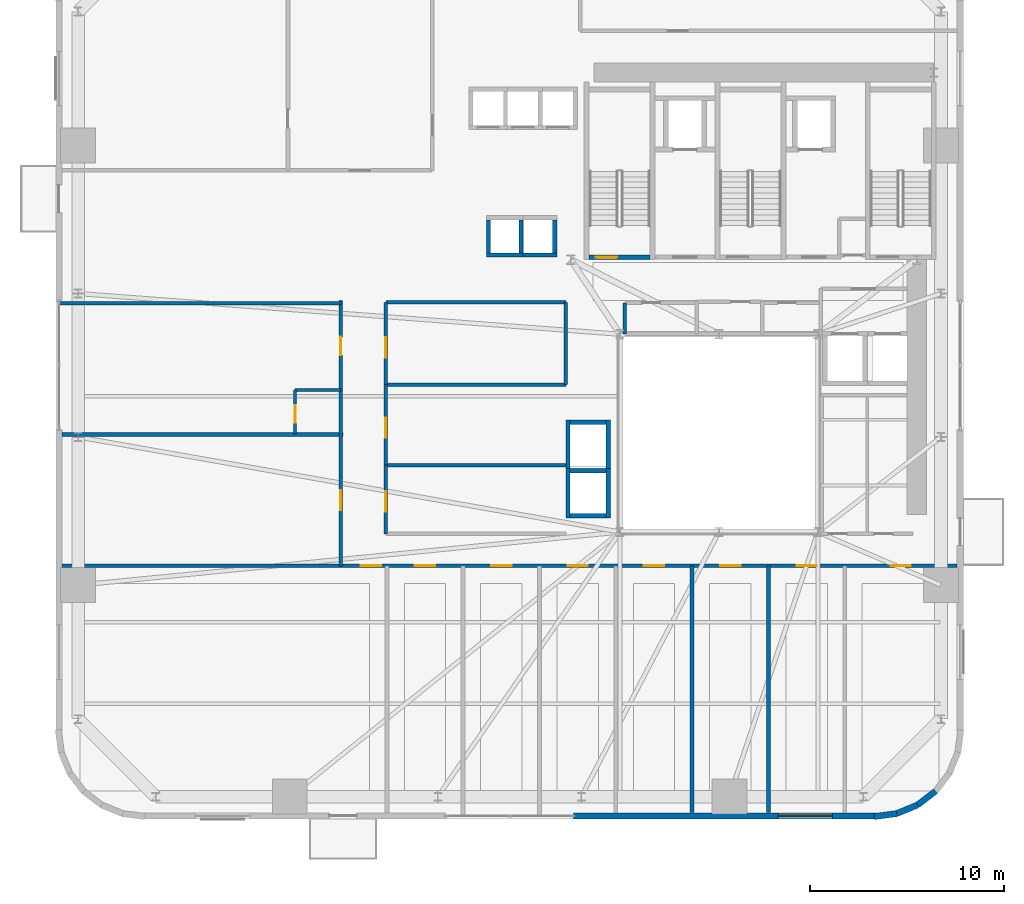
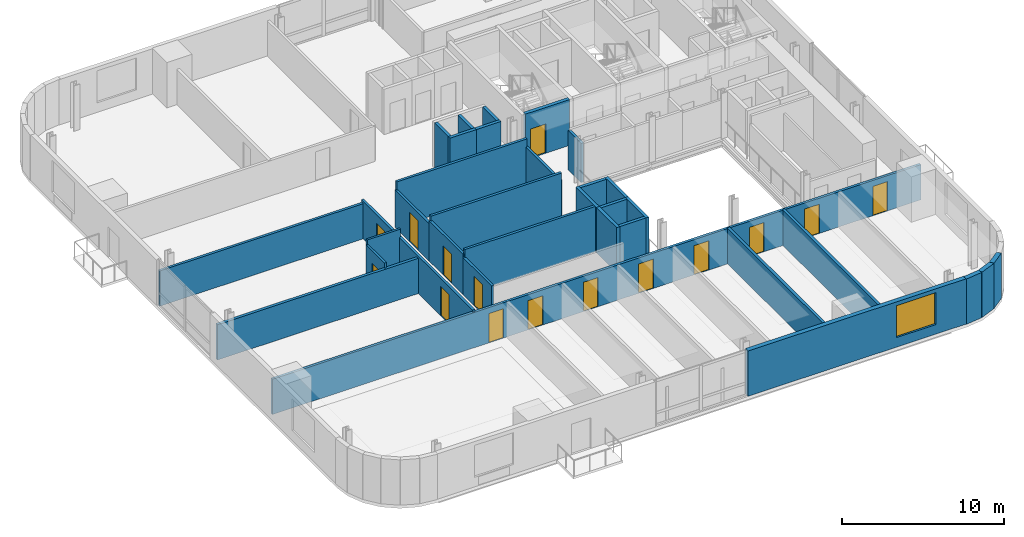
# One storey, part 6 of 13: 33 walls, 15 doors, 1 window, 16 openings.
"""IFC4 building model written with IfcOpenShell, lengths in metres."""

from ifc_helpers import new_model, si_unit, direction, frame, frame_2d, origin, place, context, subcontext, project, spatial, rectangle, extrude, source, transform, mapped, material, layer, layer_set, type_object, element, fill, save


model = new_model("IFC4")

# Units and contexts
model_context = context("Model", 3, precision=1e-05, world=origin(), true_north=direction((0.0, 1.0)))
body_context = subcontext(model_context, "Body", "Model", "MODEL_VIEW")
ifc_project = project(units=[si_unit("LENGTHUNIT", "METRE"), si_unit("AREAUNIT", "SQUARE_METRE"), si_unit("VOLUMEUNIT", "CUBIC_METRE"), si_unit("PLANEANGLEUNIT", "RADIAN"), si_unit("MASSUNIT", "GRAM", prefix="KILO")], contexts=[model_context])

# Site, building, storey
site_placement = place(None, origin())
site = spatial("IfcSite", under=ifc_project, at=site_placement, CompositionType="ELEMENT")
building_placement = place(site_placement, origin())
building = spatial("IfcBuilding", under=site, at=building_placement, Name="Vardaveli Station Tower", CompositionType="ELEMENT")
storey_placement = place(building_placement, frame((0.0, 0.0, 56.800048828125)))
storey = spatial("IfcBuildingStorey", under=building, at=storey_placement, Name="L14", CompositionType="ELEMENT", Elevation=56.800048828125)

# Wall, opening, window
ifc_material_1 = material(Name="Precast concrete C45/55", Category="concrete")
ifc_layer_1 = layer(ifc_material_1, 0.320068359375, Name="Precast concrete C45/55")
ifc_layer_set_1 = layer_set([ifc_layer_1], Name="Precast concrete C45/55")
wall_type_1 = type_object("IfcWallType", Name="WAL-EXT-STONE-320", PredefinedType="SOLIDWALL", material=ifc_layer_set_1)
shared_shape_1 = source(origin(), body_context, "Body", "SweptSolid", [
    extrude(rectangle(XDim=15.599853515625, YDim=0.320068359375, at=frame_2d((7.7998046875, 0.0))), origin(), (0.0, 0.0, 1.0), 3.409912109375),
])
wall_1_placement = place(storey_placement, frame((28.800048828125, 1.9599609375, 0.0), z_axis=(0.0, 0.0, 1.0), x_axis=(1.0, 0.0, 0.0)))
wall_1 = element("IfcWall", 1, at=wall_1_placement, inside=storey, type_object=wall_type_1, Name="EW-L14-S2", PredefinedType="SOLIDWALL", context=body_context, shape_type="MappedRepresentation", body=[
    mapped(shared_shape_1, transform((0.0, 0.0, 0.0), scale=1.0)),
])
shared_shape_2 = source(origin(), body_context, "Body", "SweptSolid", [
    extrude(rectangle(XDim=2.800048828125, YDim=2.39990234375, at=frame_2d((1.39990234375, 1.199951171875))), frame((0.0, 0.169921875, 0.0), z_axis=(0.0, -1.0, 0.0), x_axis=(1.0, 0.0, 0.0)), (0.0, 0.0, 1.0), 0.340087890625),
])
opening_1_placement = place(wall_1_placement, frame((10.544921875, 0.0, 0.719970703125)))
opening_1 = element("IfcOpeningElement", 2, at=opening_1_placement, cuts=wall_1, Name="Opening W-04", PredefinedType="OPENING", context=body_context, shape_type="MappedRepresentation", body=[
    mapped(shared_shape_2, transform((0.0, 0.0, 0.0), scale=1.0)),
])
ifc_material_2 = material(Name="Low-E solar-control glass", Category="glass")
window_type = type_object("IfcWindowType", Name="WIN-SUITE-2800x2400", PartitioningType="SINGLE_PANEL", PredefinedType="WINDOW", material=ifc_material_2)
shared_shape_3 = source(origin(), body_context, "Body", "SweptSolid", [
    extrude(rectangle(XDim=2.800048828125, YDim=2.39990234375, at=frame_2d((1.39990234375, 1.199951171875))), frame((0.0, 0.030029296875, 0.0), z_axis=(0.0, -1.0, 0.0), x_axis=(1.0, 0.0, 0.0)), (0.0, 0.0, 1.0), 0.06005859375),
])
window_placement = place(opening_1_placement, origin())
window = element("IfcWindow", 3, at=window_placement, inside=storey, type_object=window_type, Name="WN-L14-S2", OverallHeight=2.39990234375, OverallWidth=2.800048828125, PartitioningType="SINGLE_PANEL", PredefinedType="WINDOW", context=body_context, shape_type="MappedRepresentation", body=[
    mapped(shared_shape_3, transform((0.0, 0.0, 0.0), scale=1.0)),
])
fill(opening_1, window)

# Walls
shared_shape_4 = source(origin(), body_context, "Body", "SweptSolid", [
    extrude(rectangle(XDim=1.168701171875, YDim=0.320068359375, at=frame_2d((0.58447265625, 0.0))), origin(), (0.0, 0.0, 1.0), 3.409912109375),
])
wall_2_placement = place(storey_placement, frame((46.541259765625, 2.520263671875, 0.0), z_axis=(0.0, 0.0, 1.0), x_axis=(0.793663520347, 0.608356981114, 0.0)))
element("IfcWall", 4, at=wall_2_placement, inside=storey, type_object=wall_type_1, Name="EW-L14-CR2-3", PredefinedType="SOLIDWALL", context=body_context, shape_type="MappedRepresentation", body=[
    mapped(shared_shape_4, transform((0.0, 0.0, 0.0), scale=1.0)),
])
shared_shape_5 = source(origin(), body_context, "Body", "SweptSolid", [
    extrude(rectangle(XDim=1.16943359375, YDim=0.320068359375, at=frame_2d((0.584716796875, 0.0))), origin(), (0.0, 0.0, 1.0), 3.409912109375),
])
wall_3_placement = place(storey_placement, frame((45.460205078125, 2.074462890625, 0.0), z_axis=(0.0, 0.0, 1.0), x_axis=(0.924479075121, 0.381232789334, 0.0)))
element("IfcWall", 5, at=wall_3_placement, inside=storey, type_object=wall_type_1, Name="EW-L14-CR2-2", PredefinedType="SOLIDWALL", context=body_context, shape_type="MappedRepresentation", body=[
    mapped(shared_shape_5, transform((0.0, 0.0, 0.0), scale=1.0)),
])
shared_shape_6 = source(origin(), body_context, "Body", "SweptSolid", [
    extrude(rectangle(XDim=1.170166015625, YDim=0.320068359375, at=frame_2d((0.5849609375, 0.0))), origin(), (0.0, 0.0, 1.0), 3.409912109375),
])
wall_4_placement = place(storey_placement, frame((44.299560546875, 1.924560546875, 0.0), z_axis=(0.0, 0.0, 1.0), x_axis=(0.991762485493, 0.128090485085, 0.0)))
element("IfcWall", 6, at=wall_4_placement, inside=storey, type_object=wall_type_1, Name="EW-L14-CR2-1", PredefinedType="SOLIDWALL", context=body_context, shape_type="MappedRepresentation", body=[
    mapped(shared_shape_6, transform((0.0, 0.0, 0.0), scale=1.0)),
])

# Wall, opening, door
ifc_material_3 = material(Name="Concrete C40/50", Category="concrete")
ifc_layer_2 = layer(ifc_material_3, 0.25, Name="Concrete C40/50")
ifc_layer_set_2 = layer_set([ifc_layer_2], Name="Concrete C40/50")
wall_type_2 = type_object("IfcWallType", Name="WAL-SHAFT-250", PredefinedType="SOLIDWALL", material=ifc_layer_set_2)
shared_shape_7 = source(origin(), body_context, "Body", "SweptSolid", [
    extrude(rectangle(XDim=3.14990234375, YDim=0.25, at=frame_2d((1.574951171875, 0.0))), origin(), (0.0, 0.0, 1.0), 3.449951171875),
])
wall_5_placement = place(storey_placement, frame((29.60009765625, 30.77490234375, 0.0), z_axis=(0.0, 0.0, 1.0), x_axis=(1.0, 0.0, 0.0)))
wall_5 = element("IfcWall", 7, at=wall_5_placement, inside=storey, type_object=wall_type_2, Name="W-L14-ST-1S", PredefinedType="SOLIDWALL", context=body_context, shape_type="MappedRepresentation", body=[
    mapped(shared_shape_7, transform((0.0, 0.0, 0.0), scale=1.0)),
])
shared_shape_8 = source(origin(), body_context, "Body", "SweptSolid", [
    extrude(rectangle(XDim=1.10009765625, YDim=2.199951171875, at=frame_2d((0.550048828125, 1.10009765625))), frame((0.0, 0.135009765625, 0.0), z_axis=(0.0, -1.0, 0.0), x_axis=(1.0, 0.0, 0.0)), (0.0, 0.0, 1.0), 0.27001953125),
])
opening_2_placement = place(wall_5_placement, frame((0.35009765625, 0.0, 0.0)))
opening_2 = element("IfcOpeningElement", 8, at=opening_2_placement, cuts=wall_5, Name="Opening D-04", PredefinedType="OPENING", context=body_context, shape_type="MappedRepresentation", body=[
    mapped(shared_shape_8, transform((0.0, 0.0, 0.0), scale=1.0)),
])
ifc_material_4 = material(Name="Steel smokeproof fire doorset", Category="steel")
door_type_1 = type_object("IfcDoorType", Name="DR-ST-1100x2200", OperationType="NOTDEFINED", PredefinedType="DOOR", material=ifc_material_4)
shared_shape_9 = source(origin(), body_context, "Body", "SweptSolid", [
    extrude(rectangle(XDim=1.10009765625, YDim=2.199951171875, at=frame_2d((0.550048828125, 1.10009765625))), frame((0.0, 0.02490234375, 0.0), z_axis=(0.0, -1.0, 0.0), x_axis=(1.0, 0.0, 0.0)), (0.0, 0.0, 1.0), 0.050048828125),
])
door_1_placement = place(opening_2_placement, origin())
door_1 = element("IfcDoor", 9, at=door_1_placement, inside=storey, type_object=door_type_1, Name="DST-1-L14", OperationType="SINGLE_SWING_LEFT", OverallHeight=2.199951171875, OverallWidth=1.10009765625, PredefinedType="DOOR", context=body_context, shape_type="MappedRepresentation", body=[
    mapped(shared_shape_9, transform((0.0, 0.0, 0.0), scale=1.0)),
])
fill(opening_2, door_1)

# Walls
ifc_layer_3 = layer(ifc_material_3, 0.219970703125, Name="Concrete C40/50")
ifc_layer_set_3 = layer_set([ifc_layer_3], Name="Concrete C40/50")
wall_type_3 = type_object("IfcWallType", Name="WAL-FFLOBBY-220", PredefinedType="SOLIDWALL", material=ifc_layer_set_3)
shared_shape_10 = source(origin(), body_context, "Body", "SweptSolid", [
    extrude(rectangle(XDim=1.89013671875, YDim=0.219970703125, at=frame_2d((0.945068359375, 0.0))), origin(), (0.0, 0.0, 1.0), 3.409912109375),
])
for number, where, z_axis, x_axis, name in (
    (10, (24.304931640625, 30.889892578125, 0.0), (0.0, 0.0, 1.0), (1.0, 0.0, 0.0), "SHW-SHU-01-L14-S"),
    (11, (26.054931640625, 30.889892578125, 0.0), (0.0, 0.0, 1.0), (1.0, 0.0, 0.0), "SHW-SHU-02-L14-S"),
):
    element("IfcWall", number, at=place(storey_placement, frame(where, z_axis=z_axis, x_axis=x_axis)), inside=storey, type_object=wall_type_3, Name=name, PredefinedType="SOLIDWALL", context=body_context, shape_type="MappedRepresentation", body=[
        mapped(shared_shape_10, transform((0.0, 0.0, 0.0), scale=1.0)),
    ])
shared_shape_11 = source(origin(), body_context, "Body", "SweptSolid", [
    extrude(rectangle(XDim=1.699951171875, YDim=0.219970703125, at=frame_2d((0.85009765625, 0.0))), origin(), (0.0, 0.0, 1.0), 3.409912109375),
])
for number, where, z_axis, x_axis, name in (
    (12, (24.4150390625, 31.0, 0.0), (0.0, 0.0, 1.0), (0.0, 1.0, 0.0), "SHW-SHU-01-L14-W"),
    (13, (26.0849609375, 31.0, 0.0), (0.0, 0.0, 1.0), (0.0, 1.0, 0.0), "SHW-SHU-01-L14-E"),
    (14, (27.8349609375, 31.0, 0.0), (0.0, 0.0, 1.0), (0.0, 1.0, 0.0), "SHW-SHU-02-L14-E"),
):
    element("IfcWall", number, at=place(storey_placement, frame(where, z_axis=z_axis, x_axis=x_axis)), inside=storey, type_object=wall_type_3, Name=name, PredefinedType="SOLIDWALL", context=body_context, shape_type="MappedRepresentation", body=[
        mapped(shared_shape_11, transform((0.0, 0.0, 0.0), scale=1.0)),
    ])
shared_shape_12 = source(origin(), body_context, "Body", "SweptSolid", [
    extrude(rectangle(XDim=1.85009765625, YDim=0.219970703125, at=frame_2d((0.925048828125, 0.0))), origin(), (0.0, 0.0, 1.0), 3.409912109375),
])
for number, where, z_axis, x_axis, name in (
    (15, (28.625, 17.43994140625, 0.0), (0.0, 0.0, 1.0), (1.0, 0.0, 0.0), "SHW-OBS-01-L14-S"),
    (16, (28.625, 19.760009765625, 0.0), (0.0, 0.0, 1.0), (1.0, 0.0, 0.0), "SHW-OBS-01-L14-N"),
    (17, (28.625, 22.260009765625, 0.0), (0.0, 0.0, 1.0), (1.0, 0.0, 0.0), "SHW-OBS-02-L14-N"),
):
    element("IfcWall", number, at=place(storey_placement, frame(where, z_axis=z_axis, x_axis=x_axis)), inside=storey, type_object=wall_type_3, Name=name, PredefinedType="SOLIDWALL", context=body_context, shape_type="MappedRepresentation", body=[
        mapped(shared_shape_12, transform((0.0, 0.0, 0.0), scale=1.0)),
    ])
shared_shape_13 = source(origin(), body_context, "Body", "SweptSolid", [
    extrude(rectangle(XDim=2.5400390625, YDim=0.219970703125, at=frame_2d((1.27001953125, 0.0))), origin(), (0.0, 0.0, 1.0), 3.409912109375),
])
for number, where, z_axis, x_axis, name in (
    (18, (28.514892578125, 17.330078125, 0.0), (0.0, 0.0, 1.0), (0.0, 1.0, 0.0), "SHW-OBS-01-L14-W"),
    (19, (30.5849609375, 17.330078125, 0.0), (0.0, 0.0, 1.0), (0.0, 1.0, 0.0), "SHW-OBS-01-L14-E"),
    (20, (28.514892578125, 19.830078125, 0.0), (0.0, 0.0, 1.0), (0.0, 1.0, 0.0), "SHW-OBS-02-L14-W"),
    (21, (30.5849609375, 19.830078125, 0.0), (0.0, 0.0, 1.0), (0.0, 1.0, 0.0), "SHW-OBS-02-L14-E"),
):
    element("IfcWall", number, at=place(storey_placement, frame(where, z_axis=z_axis, x_axis=x_axis)), inside=storey, type_object=wall_type_3, Name=name, PredefinedType="SOLIDWALL", context=body_context, shape_type="MappedRepresentation", body=[
        mapped(shared_shape_13, transform((0.0, 0.0, 0.0), scale=1.0)),
    ])

# Wall, openings, doors
ifc_material_5 = material(Name="Fire-rated gypsum stud partition")
ifc_layer_4 = layer(ifc_material_5, 0.179931640625, Name="Fire-rated gypsum stud partition")
ifc_layer_set_4 = layer_set([ifc_layer_4], Name="Fire-rated gypsum stud partition")
wall_type_4 = type_object("IfcWallType", Name="WAL-CORR-180", PredefinedType="PARTITIONING", material=ifc_layer_set_4)
shared_shape_14 = source(origin(), body_context, "Body", "SweptSolid", [
    extrude(rectangle(XDim=46.15576171875, YDim=0.179931640625, at=frame_2d((23.077880859375, 0.0))), origin(), (0.0, 0.0, 1.0), 2.65185546875),
])
wall_6_placement = place(storey_placement, frame((2.422119140625, 14.85009765625, 0.0), z_axis=(0.0, 0.0, 1.0), x_axis=(1.0, 0.0, 0.0)))
wall_6 = element("IfcWall", 22, at=wall_6_placement, inside=storey, type_object=wall_type_4, Name="W-L14-CS", PredefinedType="PARTITIONING", context=body_context, shape_type="MappedRepresentation", body=[
    mapped(shared_shape_14, transform((0.0, 0.0, 0.0), scale=1.0)),
])
shared_shape_15 = source(origin(), body_context, "Body", "SweptSolid", [
    extrude(rectangle(XDim=1.050048828125, YDim=2.199951171875, at=frame_2d((0.52490234375, 1.10009765625))), frame((0.0, 0.10009765625, 0.0), z_axis=(0.0, -1.0, 0.0), x_axis=(1.0, 0.0, 0.0)), (0.0, 0.0, 1.0), 0.199951171875),
])
opening_3_placement = place(wall_6_placement, frame((15.39794921875, 0.0, 0.0)))
opening_3 = element("IfcOpeningElement", 23, at=opening_3_placement, cuts=wall_6, Name="Opening D-05", PredefinedType="OPENING", context=body_context, shape_type="MappedRepresentation", body=[
    mapped(shared_shape_15, transform((0.0, 0.0, 0.0), scale=1.0)),
])
opening_4_placement = place(wall_6_placement, frame((18.196044921875, 0.0, 0.0)))
opening_4 = element("IfcOpeningElement", 24, at=opening_4_placement, cuts=wall_6, Name="Opening D-05", PredefinedType="OPENING", context=body_context, shape_type="MappedRepresentation", body=[
    mapped(shared_shape_15, transform((0.0, 0.0, 0.0), scale=1.0)),
])
opening_5_placement = place(wall_6_placement, frame((22.13232421875, 0.0, 0.0)))
opening_5 = element("IfcOpeningElement", 25, at=opening_5_placement, cuts=wall_6, Name="Opening D-05", PredefinedType="OPENING", context=body_context, shape_type="MappedRepresentation", body=[
    mapped(shared_shape_15, transform((0.0, 0.0, 0.0), scale=1.0)),
])
opening_6_placement = place(wall_6_placement, frame((26.068603515625, 0.0, 0.0)))
opening_6 = element("IfcOpeningElement", 26, at=opening_6_placement, cuts=wall_6, Name="Opening D-05", PredefinedType="OPENING", context=body_context, shape_type="MappedRepresentation", body=[
    mapped(shared_shape_15, transform((0.0, 0.0, 0.0), scale=1.0)),
])
opening_7_placement = place(wall_6_placement, frame((30.0048828125, 0.0, 0.0)))
opening_7 = element("IfcOpeningElement", 27, at=opening_7_placement, cuts=wall_6, Name="Opening D-05", PredefinedType="OPENING", context=body_context, shape_type="MappedRepresentation", body=[
    mapped(shared_shape_15, transform((0.0, 0.0, 0.0), scale=1.0)),
])
opening_8_placement = place(wall_6_placement, frame((33.941162109375, 0.0, 0.0)))
opening_8 = element("IfcOpeningElement", 28, at=opening_8_placement, cuts=wall_6, Name="Opening D-05", PredefinedType="OPENING", context=body_context, shape_type="MappedRepresentation", body=[
    mapped(shared_shape_15, transform((0.0, 0.0, 0.0), scale=1.0)),
])
opening_9_placement = place(wall_6_placement, frame((37.877197265625, 0.0, 0.0)))
opening_9 = element("IfcOpeningElement", 29, at=opening_9_placement, cuts=wall_6, Name="Opening D-05", PredefinedType="OPENING", context=body_context, shape_type="MappedRepresentation", body=[
    mapped(shared_shape_15, transform((0.0, 0.0, 0.0), scale=1.0)),
])
opening_10_placement = place(wall_6_placement, frame((42.726806640625, 0.0, 0.0)))
opening_10 = element("IfcOpeningElement", 30, at=opening_10_placement, cuts=wall_6, Name="Opening D-05", PredefinedType="OPENING", context=body_context, shape_type="MappedRepresentation", body=[
    mapped(shared_shape_15, transform((0.0, 0.0, 0.0), scale=1.0)),
])
ifc_material_6 = material(Name="Walnut veneer acoustic fire door")
door_type_2 = type_object("IfcDoorType", Name="DR-SUITE-1050x2200", OperationType="NOTDEFINED", PredefinedType="DOOR", material=ifc_material_6)
shared_shape_16 = source(origin(), body_context, "Body", "SweptSolid", [
    extrude(rectangle(XDim=1.050048828125, YDim=2.199951171875, at=frame_2d((0.52490234375, 1.10009765625))), frame((0.0, 0.02490234375, 0.0), z_axis=(0.0, -1.0, 0.0), x_axis=(1.0, 0.0, 0.0)), (0.0, 0.0, 1.0), 0.050048828125),
])
door_2_placement = place(opening_3_placement, origin())
door_2 = element("IfcDoor", 31, at=door_2_placement, inside=storey, type_object=door_type_2, Name="D-L14-SA1", OperationType="SINGLE_SWING_LEFT", OverallHeight=2.199951171875, OverallWidth=1.050048828125, PredefinedType="DOOR", context=body_context, shape_type="MappedRepresentation", body=[
    mapped(shared_shape_16, transform((0.0, 0.0, 0.0), scale=1.0)),
])
fill(opening_3, door_2)
door_3_placement = place(opening_4_placement, origin())
door_3 = element("IfcDoor", 32, at=door_3_placement, inside=storey, type_object=door_type_2, Name="D-L14-SA2", OperationType="SINGLE_SWING_RIGHT", OverallHeight=2.199951171875, OverallWidth=1.050048828125, PredefinedType="DOOR", context=body_context, shape_type="MappedRepresentation", body=[
    mapped(shared_shape_16, transform((0.0, 0.0, 0.0), scale=1.0)),
])
fill(opening_4, door_3)
door_4_placement = place(opening_5_placement, origin())
door_4 = element("IfcDoor", 33, at=door_4_placement, inside=storey, type_object=door_type_2, Name="D-L14-SA3", OperationType="SINGLE_SWING_LEFT", OverallHeight=2.199951171875, OverallWidth=1.050048828125, PredefinedType="DOOR", context=body_context, shape_type="MappedRepresentation", body=[
    mapped(shared_shape_16, transform((0.0, 0.0, 0.0), scale=1.0)),
])
fill(opening_5, door_4)
door_5_placement = place(opening_6_placement, origin())
door_5 = element("IfcDoor", 34, at=door_5_placement, inside=storey, type_object=door_type_2, Name="D-L14-SA4", OperationType="SINGLE_SWING_RIGHT", OverallHeight=2.199951171875, OverallWidth=1.050048828125, PredefinedType="DOOR", context=body_context, shape_type="MappedRepresentation", body=[
    mapped(shared_shape_16, transform((0.0, 0.0, 0.0), scale=1.0)),
])
fill(opening_6, door_5)
door_6_placement = place(opening_7_placement, origin())
door_6 = element("IfcDoor", 35, at=door_6_placement, inside=storey, type_object=door_type_2, Name="D-L14-SA5", OperationType="SINGLE_SWING_LEFT", OverallHeight=2.199951171875, OverallWidth=1.050048828125, PredefinedType="DOOR", context=body_context, shape_type="MappedRepresentation", body=[
    mapped(shared_shape_16, transform((0.0, 0.0, 0.0), scale=1.0)),
])
fill(opening_7, door_6)
door_7_placement = place(opening_8_placement, origin())
door_7 = element("IfcDoor", 36, at=door_7_placement, inside=storey, type_object=door_type_2, Name="D-L14-SA6", OperationType="SINGLE_SWING_RIGHT", OverallHeight=2.199951171875, OverallWidth=1.050048828125, PredefinedType="DOOR", context=body_context, shape_type="MappedRepresentation", body=[
    mapped(shared_shape_16, transform((0.0, 0.0, 0.0), scale=1.0)),
])
fill(opening_8, door_7)
door_8_placement = place(opening_9_placement, origin())
door_8 = element("IfcDoor", 37, at=door_8_placement, inside=storey, type_object=door_type_2, Name="D-L14-SA7", OperationType="SINGLE_SWING_LEFT", OverallHeight=2.199951171875, OverallWidth=1.050048828125, PredefinedType="DOOR", context=body_context, shape_type="MappedRepresentation", body=[
    mapped(shared_shape_16, transform((0.0, 0.0, 0.0), scale=1.0)),
])
fill(opening_9, door_8)
door_9_placement = place(opening_10_placement, origin())
door_9 = element("IfcDoor", 38, at=door_9_placement, inside=storey, type_object=door_type_2, Name="D-L14-SA8", OperationType="SINGLE_SWING_LEFT", OverallHeight=2.199951171875, OverallWidth=1.050048828125, PredefinedType="DOOR", context=body_context, shape_type="MappedRepresentation", body=[
    mapped(shared_shape_16, transform((0.0, 0.0, 0.0), scale=1.0)),
])
fill(opening_10, door_9)

# Walls
ifc_material_7 = material(Name="Moisture-resistant stud partition")
ifc_layer_5 = layer(ifc_material_7, 0.14990234375, Name="Moisture-resistant stud partition")
ifc_layer_set_5 = layer_set([ifc_layer_5], Name="Moisture-resistant stud partition")
wall_type_5 = type_object("IfcWallType", Name="WAL-WET-150", PredefinedType="PARTITIONING", material=ifc_layer_set_5)
shared_shape_17 = source(origin(), body_context, "Body", "SweptSolid", [
    extrude(rectangle(XDim=2.360107421875, YDim=0.14990234375, at=frame_2d((1.18017578125, 0.0))), origin(), (0.0, 0.0, 1.0), 3.409912109375),
])
wall_7_placement = place(storey_placement, frame((14.43994140625, 23.93505859375, 0.0), z_axis=(0.0, 0.0, 1.0), x_axis=(1.0, 0.0, 0.0)))
element("IfcWall", 39, at=wall_7_placement, inside=storey, type_object=wall_type_5, Name="W-L14-BW2-N", PredefinedType="PARTITIONING", context=body_context, shape_type="MappedRepresentation", body=[
    mapped(shared_shape_17, transform((0.0, 0.0, 0.0), scale=1.0)),
])
shared_shape_18 = source(origin(), body_context, "Body", "SweptSolid", [
    extrude(rectangle(XDim=1.599853515625, YDim=0.179931640625, at=frame_2d((0.7998046875, 0.0))), origin(), (0.0, 0.0, 1.0), 2.951904296875),
])
wall_8_placement = place(storey_placement, frame((31.449951171875, 26.820068359375, 0.0), z_axis=(0.0, 0.0, 1.0), x_axis=(0.0, 1.0, 0.0)))
element("IfcWall", 40, at=wall_8_placement, inside=storey, type_object=wall_type_4, Name="W-L14-CS2A-W", PredefinedType="PARTITIONING", context=body_context, shape_type="MappedRepresentation", body=[
    mapped(shared_shape_18, transform((0.0, 0.0, 0.0), scale=1.0)),
])

# Wall, opening, door
shared_shape_19 = source(origin(), body_context, "Body", "SweptSolid", [
    extrude(rectangle(XDim=4.239990234375, YDim=0.179931640625, at=frame_2d((2.1201171875, 0.0))), origin(), (0.0, 0.0, 1.0), 2.802001953125),
])
wall_9_placement = place(storey_placement, frame((19.1201171875, 24.199951171875, 0.0), z_axis=(0.0, 0.0, 1.0), x_axis=(0.0, 1.0, 0.0)))
wall_9 = element("IfcWall", 41, at=wall_9_placement, inside=storey, type_object=wall_type_4, Name="W-L14-ATWC-W", PredefinedType="PARTITIONING", context=body_context, shape_type="MappedRepresentation", body=[
    mapped(shared_shape_19, transform((0.0, 0.0, 0.0), scale=1.0)),
])
opening_11_placement = place(wall_9_placement, frame((1.39990234375, 0.0, 0.0)))
opening_11 = element("IfcOpeningElement", 42, at=opening_11_placement, cuts=wall_9, Name="Opening D-05", PredefinedType="OPENING", context=body_context, shape_type="MappedRepresentation", body=[
    mapped(shared_shape_15, transform((0.0, 0.0, 0.0), scale=1.0)),
])
door_10_placement = place(opening_11_placement, origin())
door_10 = element("IfcDoor", 43, at=door_10_placement, inside=storey, type_object=door_type_2, Name="D-L14-ATW3", OperationType="SINGLE_SWING_RIGHT", OverallHeight=2.199951171875, OverallWidth=1.050048828125, PredefinedType="DOOR", context=body_context, shape_type="MappedRepresentation", body=[
    mapped(shared_shape_16, transform((0.0, 0.0, 0.0), scale=1.0)),
])
fill(opening_11, door_10)

# Wall
wall_10_placement = place(storey_placement, frame((28.39990234375, 24.199951171875, 0.0), z_axis=(0.0, 0.0, 1.0), x_axis=(0.0, 1.0, 0.0)))
element("IfcWall", 44, at=wall_10_placement, inside=storey, type_object=wall_type_4, Name="W-L14-ATWC-E", PredefinedType="PARTITIONING", context=body_context, shape_type="MappedRepresentation", body=[
    mapped(shared_shape_19, transform((0.0, 0.0, 0.0), scale=1.0)),
])

# Wall, opening, door
shared_shape_20 = source(origin(), body_context, "Body", "SweptSolid", [
    extrude(rectangle(XDim=4.14990234375, YDim=0.179931640625, at=frame_2d((2.074951171875, 0.0))), origin(), (0.0, 0.0, 1.0), 3.0419921875),
])
wall_11_placement = place(storey_placement, frame((19.1201171875, 20.050048828125, 0.0), z_axis=(0.0, 0.0, 1.0), x_axis=(0.0, 1.0, 0.0)))
wall_11 = element("IfcWall", 45, at=wall_11_placement, inside=storey, type_object=wall_type_4, Name="W-L14-ATWB-W", PredefinedType="PARTITIONING", context=body_context, shape_type="MappedRepresentation", body=[
    mapped(shared_shape_20, transform((0.0, 0.0, 0.0), scale=1.0)),
])
opening_12_placement = place(wall_11_placement, frame((1.39990234375, 0.0, 0.0)))
opening_12 = element("IfcOpeningElement", 46, at=opening_12_placement, cuts=wall_11, Name="Opening D-05", PredefinedType="OPENING", context=body_context, shape_type="MappedRepresentation", body=[
    mapped(shared_shape_15, transform((0.0, 0.0, 0.0), scale=1.0)),
])
door_11_placement = place(opening_12_placement, origin())
door_11 = element("IfcDoor", 47, at=door_11_placement, inside=storey, type_object=door_type_2, Name="D-L14-ATW2", OperationType="SINGLE_SWING_LEFT", OverallHeight=2.199951171875, OverallWidth=1.050048828125, PredefinedType="DOOR", context=body_context, shape_type="MappedRepresentation", body=[
    mapped(shared_shape_16, transform((0.0, 0.0, 0.0), scale=1.0)),
])
fill(opening_12, door_11)

shared_shape_21 = source(origin(), body_context, "Body", "SweptSolid", [
    extrude(rectangle(XDim=3.550048828125, YDim=0.179931640625, at=frame_2d((1.77490234375, 0.0))), origin(), (0.0, 0.0, 1.0), 2.802001953125),
])
wall_12_placement = place(storey_placement, frame((19.1201171875, 16.5, 0.0), z_axis=(0.0, 0.0, 1.0), x_axis=(0.0, 1.0, 0.0)))
wall_12 = element("IfcWall", 48, at=wall_12_placement, inside=storey, type_object=wall_type_4, Name="W-L14-ATWA-W", PredefinedType="PARTITIONING", context=body_context, shape_type="MappedRepresentation", body=[
    mapped(shared_shape_21, transform((0.0, 0.0, 0.0), scale=1.0)),
])
opening_13_placement = place(wall_12_placement, frame((1.14990234375, 0.0, 0.0)))
opening_13 = element("IfcOpeningElement", 49, at=opening_13_placement, cuts=wall_12, Name="Opening D-05", PredefinedType="OPENING", context=body_context, shape_type="MappedRepresentation", body=[
    mapped(shared_shape_15, transform((0.0, 0.0, 0.0), scale=1.0)),
])
door_12_placement = place(opening_13_placement, origin())
door_12 = element("IfcDoor", 50, at=door_12_placement, inside=storey, type_object=door_type_2, Name="D-L14-ATW1", OperationType="SINGLE_SWING_LEFT", OverallHeight=2.199951171875, OverallWidth=1.050048828125, PredefinedType="DOOR", context=body_context, shape_type="MappedRepresentation", body=[
    mapped(shared_shape_16, transform((0.0, 0.0, 0.0), scale=1.0)),
])
fill(opening_13, door_12)

# Wall, openings, doors
shared_shape_22 = source(origin(), body_context, "Body", "SweptSolid", [
    extrude(rectangle(XDim=13.699951171875, YDim=0.179931640625, at=frame_2d((6.85009765625, 0.0))), origin(), (0.0, 0.0, 1.0), 2.802001953125),
])
wall_13_placement = place(storey_placement, frame((16.800048828125, 14.85009765625, 0.0), z_axis=(0.0, 0.0, 1.0), x_axis=(0.0, 1.0, 0.0)))
wall_13 = element("IfcWall", 51, at=wall_13_placement, inside=storey, type_object=wall_type_4, Name="W-L14-CW", PredefinedType="PARTITIONING", context=body_context, shape_type="MappedRepresentation", body=[
    mapped(shared_shape_22, transform((0.0, 0.0, 0.0), scale=1.0)),
])
opening_14_placement = place(wall_13_placement, frame((2.867431640625, 0.0, 0.0)))
opening_14 = element("IfcOpeningElement", 52, at=opening_14_placement, cuts=wall_13, Name="Opening D-05", PredefinedType="OPENING", context=body_context, shape_type="MappedRepresentation", body=[
    mapped(shared_shape_15, transform((0.0, 0.0, 0.0), scale=1.0)),
])
shared_shape_23 = source(origin(), body_context, "Body", "SweptSolid", [
    extrude(rectangle(XDim=0.949951171875, YDim=2.14990234375, at=frame_2d((0.47509765625, 1.074951171875))), frame((0.0, 0.10009765625, 0.0), z_axis=(0.0, -1.0, 0.0), x_axis=(1.0, 0.0, 0.0)), (0.0, 0.0, 1.0), 0.199951171875),
])
opening_15_placement = place(wall_13_placement, frame((10.867431640625, 0.0, 0.0)))
opening_15 = element("IfcOpeningElement", 53, at=opening_15_placement, cuts=wall_13, Name="Opening D-06", PredefinedType="OPENING", context=body_context, shape_type="MappedRepresentation", body=[
    mapped(shared_shape_23, transform((0.0, 0.0, 0.0), scale=1.0)),
])
door_13_placement = place(opening_14_placement, origin())
door_13 = element("IfcDoor", 54, at=door_13_placement, inside=storey, type_object=door_type_2, Name="D-L14-GW1", OperationType="SINGLE_SWING_LEFT", OverallHeight=2.199951171875, OverallWidth=1.050048828125, PredefinedType="DOOR", context=body_context, shape_type="MappedRepresentation", body=[
    mapped(shared_shape_16, transform((0.0, 0.0, 0.0), scale=1.0)),
])
fill(opening_14, door_13)
ifc_material_8 = material(Name="Oak veneer acoustic fire door")
door_type_3 = type_object("IfcDoorType", Name="DR-GUEST-950x2150", OperationType="NOTDEFINED", PredefinedType="DOOR", material=ifc_material_8)
shared_shape_24 = source(origin(), body_context, "Body", "SweptSolid", [
    extrude(rectangle(XDim=0.949951171875, YDim=2.14990234375, at=frame_2d((0.47509765625, 1.074951171875))), frame((0.0, 0.02490234375, 0.0), z_axis=(0.0, -1.0, 0.0), x_axis=(1.0, 0.0, 0.0)), (0.0, 0.0, 1.0), 0.050048828125),
])
door_14_placement = place(opening_15_placement, origin())
door_14 = element("IfcDoor", 55, at=door_14_placement, inside=storey, type_object=door_type_3, Name="D-L14-GW2", OperationType="SINGLE_SWING_RIGHT", OverallHeight=2.14990234375, OverallWidth=0.949951171875, PredefinedType="DOOR", context=body_context, shape_type="MappedRepresentation", body=[
    mapped(shared_shape_24, transform((0.0, 0.0, 0.0), scale=1.0)),
])
fill(opening_15, door_14)

# Wall, opening, door
shared_shape_25 = source(origin(), body_context, "Body", "SweptSolid", [
    extrude(rectangle(XDim=2.2900390625, YDim=0.14990234375, at=frame_2d((1.14501953125, 0.0))), origin(), (0.0, 0.0, 1.0), 3.0419921875),
])
wall_14_placement = place(storey_placement, frame((14.43994140625, 21.64501953125, 0.0), z_axis=(0.0, 0.0, 1.0), x_axis=(0.0, 1.0, 0.0)))
wall_14 = element("IfcWall", 56, at=wall_14_placement, inside=storey, type_object=wall_type_5, Name="W-L14-BW2-W", PredefinedType="PARTITIONING", context=body_context, shape_type="MappedRepresentation", body=[
    mapped(shared_shape_25, transform((0.0, 0.0, 0.0), scale=1.0)),
])
shared_shape_26 = source(origin(), body_context, "Body", "SweptSolid", [
    extrude(rectangle(XDim=0.89990234375, YDim=2.10009765625, at=frame_2d((0.449951171875, 1.050048828125))), frame((0.0, 0.0849609375, 0.0), z_axis=(0.0, -1.0, 0.0), x_axis=(1.0, 0.0, 0.0)), (0.0, 0.0, 1.0), 0.169921875),
])
opening_16_placement = place(wall_14_placement, frame((0.60009765625, 0.0, 0.0)))
opening_16 = element("IfcOpeningElement", 57, at=opening_16_placement, cuts=wall_14, Name="Opening D-08", PredefinedType="OPENING", context=body_context, shape_type="MappedRepresentation", body=[
    mapped(shared_shape_26, transform((0.0, 0.0, 0.0), scale=1.0)),
])
ifc_material_9 = material(Name="Moisture-resistant oak door")
door_type_4 = type_object("IfcDoorType", Name="DR-BATH-900x2100", OperationType="NOTDEFINED", PredefinedType="DOOR", material=ifc_material_9)
shared_shape_27 = source(origin(), body_context, "Body", "SweptSolid", [
    extrude(rectangle(XDim=0.89990234375, YDim=2.10009765625, at=frame_2d((0.449951171875, 1.050048828125))), frame((0.0, 0.02490234375, 0.0), z_axis=(0.0, -1.0, 0.0), x_axis=(1.0, 0.0, 0.0)), (0.0, 0.0, 1.0), 0.050048828125),
])
door_15_placement = place(opening_16_placement, origin())
door_15 = element("IfcDoor", 58, at=door_15_placement, inside=storey, type_object=door_type_4, Name="D-L14-BW2", OperationType="SINGLE_SWING_LEFT", OverallHeight=2.10009765625, OverallWidth=0.89990234375, PredefinedType="DOOR", context=body_context, shape_type="MappedRepresentation", body=[
    mapped(shared_shape_27, transform((0.0, 0.0, 0.0), scale=1.0)),
])
fill(opening_16, door_15)

# Walls
ifc_material_10 = material(Name="Acoustic twin-stud gypsum partition")
ifc_layer_6 = layer(ifc_material_10, 0.199951171875, Name="Acoustic twin-stud gypsum partition")
ifc_layer_set_6 = layer_set([ifc_layer_6], Name="Acoustic twin-stud gypsum partition")
wall_type_6 = type_object("IfcWallType", Name="WAL-PARTY-200", PredefinedType="PARTITIONING", material=ifc_layer_set_6)
shared_shape_28 = source(origin(), body_context, "Body", "SweptSolid", [
    extrude(rectangle(XDim=14.477783203125, YDim=0.199951171875, at=frame_2d((7.23876953125, 0.0))), origin(), (0.0, 0.0, 1.0), 2.65185546875),
])
wall_15_placement = place(storey_placement, frame((2.422119140625, 21.625, 0.0), z_axis=(0.0, 0.0, 1.0), x_axis=(1.0, 0.0, 0.0)))
element("IfcWall", 59, at=wall_15_placement, inside=storey, type_object=wall_type_6, Name="W-L14-PW1", PredefinedType="PARTITIONING", context=body_context, shape_type="MappedRepresentation", body=[
    mapped(shared_shape_28, transform((0.0, 0.0, 0.0), scale=1.0)),
])
shared_shape_29 = source(origin(), body_context, "Body", "SweptSolid", [
    extrude(rectangle(XDim=14.570068359375, YDim=0.179931640625, at=frame_2d((7.28515625, 0.0))), origin(), (0.0, 0.0, 1.0), 2.65185546875),
])
wall_16_placement = place(storey_placement, frame((2.22998046875, 28.39990234375, 0.0), z_axis=(0.0, 0.0, 1.0), x_axis=(1.0, 0.0, 0.0)))
element("IfcWall", 60, at=wall_16_placement, inside=storey, type_object=wall_type_4, Name="W-L14-CWN", PredefinedType="PARTITIONING", context=body_context, shape_type="MappedRepresentation", body=[
    mapped(shared_shape_29, transform((0.0, 0.0, 0.0), scale=1.0)),
])
shared_shape_30 = source(origin(), body_context, "Body", "SweptSolid", [
    extrude(rectangle(XDim=12.72802734375, YDim=0.199951171875, at=frame_2d((6.364013671875, 0.0))), origin(), (0.0, 0.0, 1.0), 2.65185546875),
])
for number, where, z_axis, x_axis, name in (
    (61, (34.9150390625, 2.1220703125, 0.0), (0.0, 0.0, 1.0), (0.0, 1.0, 0.0), "W-L14-PS5"),
    (62, (38.85107421875, 2.1220703125, 0.0), (0.0, 0.0, 1.0), (0.0, 1.0, 0.0), "W-L14-PS6"),
):
    element("IfcWall", number, at=place(storey_placement, frame(where, z_axis=z_axis, x_axis=x_axis)), inside=storey, type_object=wall_type_6, Name=name, PredefinedType="PARTITIONING", context=body_context, shape_type="MappedRepresentation", body=[
        mapped(shared_shape_30, transform((0.0, 0.0, 0.0), scale=1.0)),
    ])
shared_shape_31 = source(origin(), body_context, "Body", "SweptSolid", [
    extrude(rectangle(XDim=9.27978515625, YDim=0.179931640625, at=frame_2d((4.639892578125, 0.0))), origin(), (0.0, 0.0, 1.0), 3.409912109375),
])
for number, where, z_axis, x_axis, name in (
    (63, (19.1201171875, 20.050048828125, 0.0), (0.0, 0.0, 1.0), (1.0, 0.0, 0.0), "W-L14-ATWA-N"),
    (64, (19.1201171875, 24.199951171875, 0.0), (0.0, 0.0, 1.0), (1.0, 0.0, 0.0), "W-L14-ATWB-N"),
    (65, (19.1201171875, 28.43994140625, 0.0), (0.0, 0.0, 1.0), (1.0, 0.0, 0.0), "W-L14-ATWC-N"),
):
    element("IfcWall", number, at=place(storey_placement, frame(where, z_axis=z_axis, x_axis=x_axis)), inside=storey, type_object=wall_type_4, Name=name, PredefinedType="PARTITIONING", context=body_context, shape_type="MappedRepresentation", body=[
        mapped(shared_shape_31, transform((0.0, 0.0, 0.0), scale=1.0)),
    ])

save(model, "model.ifc")
